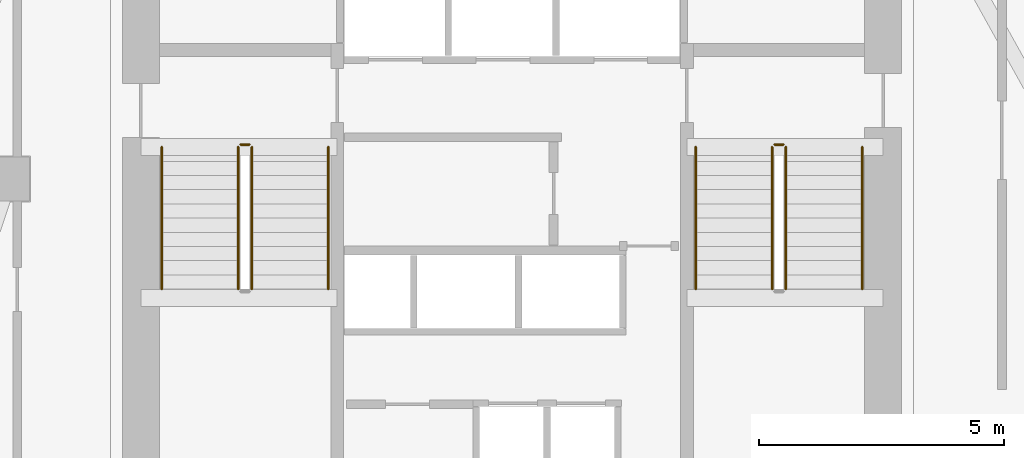
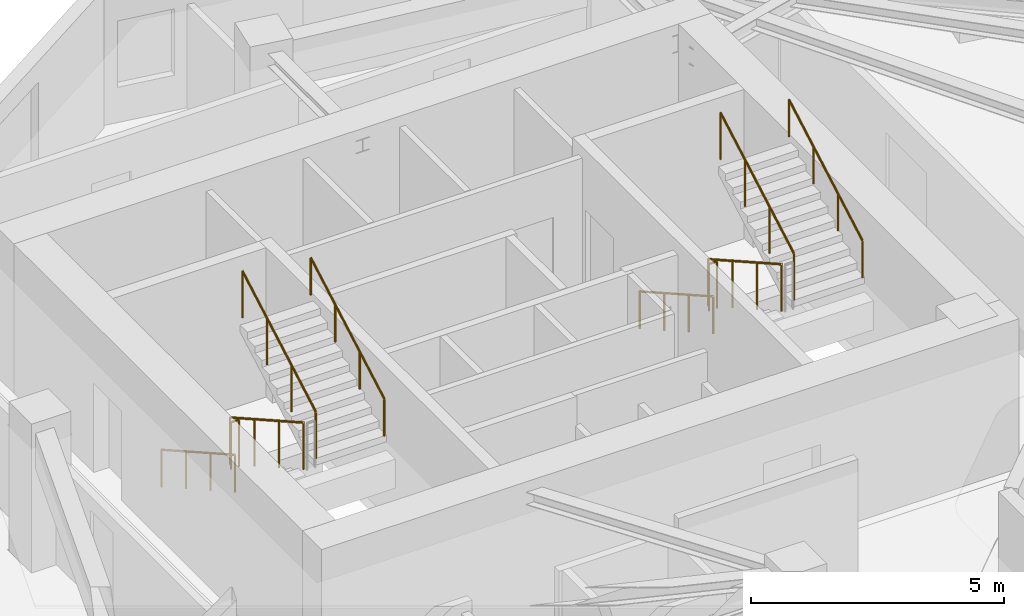
# One storey, part 12 of 13: 10 railings.
"""IFC4 building model written with IfcOpenShell, lengths in metres."""

from ifc_helpers import new_model, si_unit, direction, frame, origin, origin_2d, place, context, subcontext, project, spatial, circle, extrude, material, type_object, element, save


model = new_model("IFC4")

# Units and contexts
model_context = context("Model", 3, precision=1e-05, world=origin(), true_north=direction((0.0, 1.0)))
body_context = subcontext(model_context, "Body", "Model", "MODEL_VIEW")
ifc_project = project(units=[si_unit("LENGTHUNIT", "METRE"), si_unit("AREAUNIT", "SQUARE_METRE"), si_unit("VOLUMEUNIT", "CUBIC_METRE"), si_unit("PLANEANGLEUNIT", "RADIAN"), si_unit("MASSUNIT", "GRAM", prefix="KILO")], contexts=[model_context])

# Site, building, storey
site_placement = place(None, origin())
site = spatial("IfcSite", under=ifc_project, at=site_placement, CompositionType="ELEMENT")
building_placement = place(site_placement, origin())
building = spatial("IfcBuilding", under=site, at=building_placement, Name="Calvemar Wedge Station Tower", CompositionType="ELEMENT")
storey_placement = place(building_placement, frame((0.0, 0.0, 132.199951171875)))
storey = spatial("IfcBuildingStorey", under=building, at=storey_placement, Name="L32", CompositionType="ELEMENT", Elevation=132.199951171875)

# Railings
ifc_material_1 = material(Name="Stainless steel AISI 316L", Category="steel")
railing_type_1 = type_object("IfcRailingType", Name="RL-HANDRAIL-920", PredefinedType="HANDRAIL", material=ifc_material_1)
railing_1_placement = place(storey_placement, frame((16.64990234375, 41.14990234375, 0.16357421875)))
element("IfcRailing", 1, at=railing_1_placement, inside=storey, type_object=railing_type_1, Name="L32 ST-C1 stair handrail 1", PredefinedType="HANDRAIL", context=body_context, shape_type="SweptSolid", body=[
    extrude(circle(Radius=0.02392578125, at=origin_2d()), frame((0.0, 0.0, 0.89599609375), z_axis=(0.0, -0.870897200241, 0.491465224214), x_axis=(1.0, 0.0, 0.0)), (0.0, 0.0, 1.0), 3.329833984375),
    extrude(circle(Radius=0.02099609375, at=origin_2d()), origin(), (0.0, 0.0, 1.0), 0.871826171875),
    extrude(circle(Radius=0.02099609375, at=origin_2d()), frame((0.0, -0.966552734375, 0.54541015625)), (0.0, 0.0, 1.0), 0.871826171875),
    extrude(circle(Radius=0.02099609375, at=origin_2d()), frame((0.0, -1.933349609375, 1.091064453125)), (0.0, 0.0, 1.0), 0.871826171875),
    extrude(circle(Radius=0.02099609375, at=origin_2d()), frame((0.0, -2.89990234375, 1.636474609375)), (0.0, 0.0, 1.0), 0.871826171875),
])
railing_2_placement = place(storey_placement, frame((20.050048828125, 38.25, 1.963623046875)))
element("IfcRailing", 2, at=railing_2_placement, inside=storey, type_object=railing_type_1, Name="L32 ST-C1 stair handrail 2", PredefinedType="HANDRAIL", context=body_context, shape_type="SweptSolid", body=[
    extrude(circle(Radius=0.02392578125, at=origin_2d()), frame((0.0, 0.0, 0.89599609375), z_axis=(0.0, 0.870897200241, 0.491465224214), x_axis=(-1.0, 0.0, 0.0)), (0.0, 0.0, 1.0), 3.329833984375),
    extrude(circle(Radius=0.02099609375, at=origin_2d()), origin(), (0.0, 0.0, 1.0), 0.871826171875),
    extrude(circle(Radius=0.02099609375, at=origin_2d()), frame((0.0, 0.966552734375, 0.54541015625)), (0.0, 0.0, 1.0), 0.871826171875),
    extrude(circle(Radius=0.02099609375, at=origin_2d()), frame((0.0, 1.933349609375, 1.091064453125)), (0.0, 0.0, 1.0), 0.871826171875),
    extrude(circle(Radius=0.02099609375, at=origin_2d()), frame((0.0, 2.89990234375, 1.636474609375)), (0.0, 0.0, 1.0), 0.871826171875),
])
railing_3_placement = place(storey_placement, frame((27.550048828125, 41.14990234375, 0.16357421875)))
element("IfcRailing", 3, at=railing_3_placement, inside=storey, type_object=railing_type_1, Name="L32 ST-C2 stair handrail 1", PredefinedType="HANDRAIL", context=body_context, shape_type="SweptSolid", body=[
    extrude(circle(Radius=0.02392578125, at=origin_2d()), frame((0.0, 0.0, 0.89599609375), z_axis=(0.0, -0.870897200241, 0.491465224214), x_axis=(1.0, 0.0, 0.0)), (0.0, 0.0, 1.0), 3.329833984375),
    extrude(circle(Radius=0.02099609375, at=origin_2d()), origin(), (0.0, 0.0, 1.0), 0.871826171875),
    extrude(circle(Radius=0.02099609375, at=origin_2d()), frame((0.0, -0.966552734375, 0.54541015625)), (0.0, 0.0, 1.0), 0.871826171875),
    extrude(circle(Radius=0.02099609375, at=origin_2d()), frame((0.0, -1.933349609375, 1.091064453125)), (0.0, 0.0, 1.0), 0.871826171875),
    extrude(circle(Radius=0.02099609375, at=origin_2d()), frame((0.0, -2.89990234375, 1.636474609375)), (0.0, 0.0, 1.0), 0.871826171875),
])
railing_4_placement = place(storey_placement, frame((30.949951171875, 38.25, 1.963623046875)))
element("IfcRailing", 4, at=railing_4_placement, inside=storey, type_object=railing_type_1, Name="L32 ST-C2 stair handrail 2", PredefinedType="HANDRAIL", context=body_context, shape_type="SweptSolid", body=[
    extrude(circle(Radius=0.02392578125, at=origin_2d()), frame((0.0, 0.0, 0.89599609375), z_axis=(0.0, 0.870897200241, 0.491465224214), x_axis=(-1.0, 0.0, 0.0)), (0.0, 0.0, 1.0), 3.329833984375),
    extrude(circle(Radius=0.02099609375, at=origin_2d()), origin(), (0.0, 0.0, 1.0), 0.871826171875),
    extrude(circle(Radius=0.02099609375, at=origin_2d()), frame((0.0, 0.966552734375, 0.54541015625)), (0.0, 0.0, 1.0), 0.871826171875),
    extrude(circle(Radius=0.02099609375, at=origin_2d()), frame((0.0, 1.933349609375, 1.091064453125)), (0.0, 0.0, 1.0), 0.871826171875),
    extrude(circle(Radius=0.02099609375, at=origin_2d()), frame((0.0, 2.89990234375, 1.636474609375)), (0.0, 0.0, 1.0), 0.871826171875),
])
ifc_material_2 = material(Name="Painted steel guardrail ASTM A500 Grade C", Category="steel")
railing_type_2 = type_object("IfcRailingType", Name="RL-STAIR-GUARD-1150", PredefinedType="GUARDRAIL", material=ifc_material_2)
railing_5_placement = place(storey_placement, frame((18.2099609375, 41.14990234375, 0.16357421875)))
element("IfcRailing", 5, at=railing_5_placement, inside=storey, type_object=railing_type_2, Name="L32 ST-C1 stair guard 1", PredefinedType="GUARDRAIL", context=body_context, shape_type="SweptSolid", body=[
    extrude(circle(Radius=0.02392578125, at=origin_2d()), frame((0.0, 0.0, 1.1259765625), z_axis=(0.0, -0.870897200241, 0.491465224214), x_axis=(1.0, 0.0, 0.0)), (0.0, 0.0, 1.0), 3.329833984375),
    extrude(circle(Radius=0.02099609375, at=origin_2d()), origin(), (0.0, 0.0, 1.0), 1.101806640625),
    extrude(circle(Radius=0.02099609375, at=origin_2d()), frame((0.0, -0.966552734375, 0.54541015625)), (0.0, 0.0, 1.0), 1.101806640625),
    extrude(circle(Radius=0.02099609375, at=origin_2d()), frame((0.0, -1.933349609375, 1.091064453125)), (0.0, 0.0, 1.0), 1.101806640625),
    extrude(circle(Radius=0.02099609375, at=origin_2d()), frame((0.0, -2.89990234375, 1.636474609375)), (0.0, 0.0, 1.0), 1.101806640625),
])
railing_6_placement = place(storey_placement, frame((18.489990234375, 38.25, 1.963623046875)))
element("IfcRailing", 6, at=railing_6_placement, inside=storey, type_object=railing_type_2, Name="L32 ST-C1 stair guard 3", PredefinedType="GUARDRAIL", context=body_context, shape_type="SweptSolid", body=[
    extrude(circle(Radius=0.02392578125, at=origin_2d()), frame((0.0, 0.0, 1.1259765625), z_axis=(0.0, 0.870897200241, 0.491465224214), x_axis=(-1.0, 0.0, 0.0)), (0.0, 0.0, 1.0), 3.329833984375),
    extrude(circle(Radius=0.02099609375, at=origin_2d()), origin(), (0.0, 0.0, 1.0), 1.101806640625),
    extrude(circle(Radius=0.02099609375, at=origin_2d()), frame((0.0, 0.966552734375, 0.54541015625)), (0.0, 0.0, 1.0), 1.101806640625),
    extrude(circle(Radius=0.02099609375, at=origin_2d()), frame((0.0, 1.933349609375, 1.091064453125)), (0.0, 0.0, 1.0), 1.101806640625),
    extrude(circle(Radius=0.02099609375, at=origin_2d()), frame((0.0, 2.89990234375, 1.636474609375)), (0.0, 0.0, 1.0), 1.101806640625),
])
railing_7_placement = place(storey_placement, frame((18.260009765625, 41.199951171875, 0.0)))
element("IfcRailing", 7, at=railing_7_placement, inside=storey, type_object=railing_type_2, Name="L32 ST-C1 stair guard 4", PredefinedType="GUARDRAIL", context=body_context, shape_type="SweptSolid", body=[
    extrude(circle(Radius=0.02392578125, at=origin_2d()), frame((0.0, 0.0, 1.1259765625), z_axis=(1.0, 0.0, 0.0), x_axis=(0.0, 1.0, 0.0)), (0.0, 0.0, 1.0), 0.179931640625),
    extrude(circle(Radius=0.02099609375, at=origin_2d()), origin(), (0.0, 0.0, 1.0), 1.101806640625),
    extrude(circle(Radius=0.02099609375, at=origin_2d()), frame((0.179931640625, 0.0, 0.0)), (0.0, 0.0, 1.0), 1.101806640625),
])
railing_8_placement = place(storey_placement, frame((29.110107421875, 41.14990234375, 0.16357421875)))
element("IfcRailing", 8, at=railing_8_placement, inside=storey, type_object=railing_type_2, Name="L32 ST-C2 stair guard 1", PredefinedType="GUARDRAIL", context=body_context, shape_type="SweptSolid", body=[
    extrude(circle(Radius=0.02392578125, at=origin_2d()), frame((0.0, 0.0, 1.1259765625), z_axis=(0.0, -0.870897200241, 0.491465224214), x_axis=(1.0, 0.0, 0.0)), (0.0, 0.0, 1.0), 3.329833984375),
    extrude(circle(Radius=0.02099609375, at=origin_2d()), origin(), (0.0, 0.0, 1.0), 1.101806640625),
    extrude(circle(Radius=0.02099609375, at=origin_2d()), frame((0.0, -0.966552734375, 0.54541015625)), (0.0, 0.0, 1.0), 1.101806640625),
    extrude(circle(Radius=0.02099609375, at=origin_2d()), frame((0.0, -1.933349609375, 1.091064453125)), (0.0, 0.0, 1.0), 1.101806640625),
    extrude(circle(Radius=0.02099609375, at=origin_2d()), frame((0.0, -2.89990234375, 1.636474609375)), (0.0, 0.0, 1.0), 1.101806640625),
])
railing_9_placement = place(storey_placement, frame((29.389892578125, 38.25, 1.963623046875)))
element("IfcRailing", 9, at=railing_9_placement, inside=storey, type_object=railing_type_2, Name="L32 ST-C2 stair guard 3", PredefinedType="GUARDRAIL", context=body_context, shape_type="SweptSolid", body=[
    extrude(circle(Radius=0.02392578125, at=origin_2d()), frame((0.0, 0.0, 1.1259765625), z_axis=(0.0, 0.870897200241, 0.491465224214), x_axis=(-1.0, 0.0, 0.0)), (0.0, 0.0, 1.0), 3.329833984375),
    extrude(circle(Radius=0.02099609375, at=origin_2d()), origin(), (0.0, 0.0, 1.0), 1.101806640625),
    extrude(circle(Radius=0.02099609375, at=origin_2d()), frame((0.0, 0.966552734375, 0.54541015625)), (0.0, 0.0, 1.0), 1.101806640625),
    extrude(circle(Radius=0.02099609375, at=origin_2d()), frame((0.0, 1.933349609375, 1.091064453125)), (0.0, 0.0, 1.0), 1.101806640625),
    extrude(circle(Radius=0.02099609375, at=origin_2d()), frame((0.0, 2.89990234375, 1.636474609375)), (0.0, 0.0, 1.0), 1.101806640625),
])
railing_10_placement = place(storey_placement, frame((29.159912109375, 41.199951171875, 0.0)))
element("IfcRailing", 10, at=railing_10_placement, inside=storey, type_object=railing_type_2, Name="L32 ST-C2 stair guard 4", PredefinedType="GUARDRAIL", context=body_context, shape_type="SweptSolid", body=[
    extrude(circle(Radius=0.02392578125, at=origin_2d()), frame((0.0, 0.0, 1.1259765625), z_axis=(1.0, 0.0, 0.0), x_axis=(0.0, 1.0, 0.0)), (0.0, 0.0, 1.0), 0.18017578125),
    extrude(circle(Radius=0.02099609375, at=origin_2d()), origin(), (0.0, 0.0, 1.0), 1.101806640625),
    extrude(circle(Radius=0.02099609375, at=origin_2d()), frame((0.18017578125, 0.0, 0.0)), (0.0, 0.0, 1.0), 1.101806640625),
])

save(model, "model.ifc")
